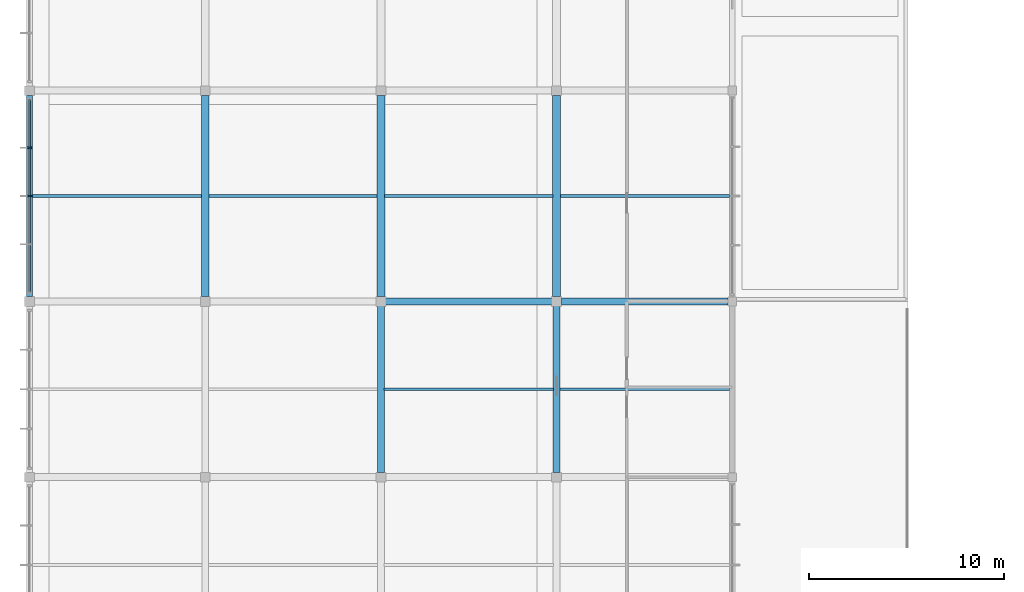
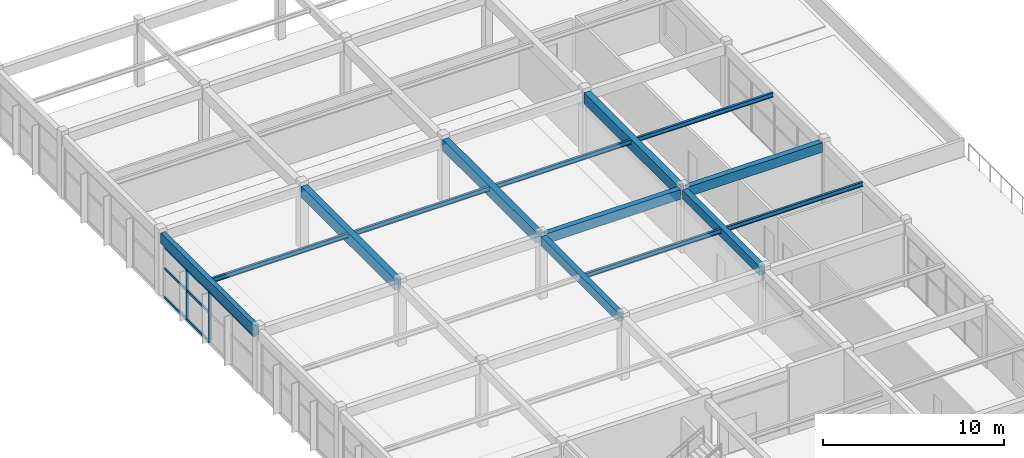
# One storey, part 26 of 89: 14 beams, 7 members, 1 element without a shape of its own.
"""IFC4 building model written with IfcOpenShell, lengths in metres."""

from ifc_helpers import new_model, si_unit, direction, frame, origin, origin_2d, place, context, subcontext, project, spatial, rectangle, i_section, extrude, material, material_profile, profile_set, type_object, element, aggregate, save


model = new_model("IFC4")

# Units and contexts
model_context = context("Model", 3, precision=1e-05, world=origin(), true_north=direction((0.0, 1.0)))
body_context = subcontext(model_context, "Body", "Model", "MODEL_VIEW")
ifc_project = project(units=[si_unit("LENGTHUNIT", "METRE"), si_unit("AREAUNIT", "SQUARE_METRE"), si_unit("VOLUMEUNIT", "CUBIC_METRE"), si_unit("PLANEANGLEUNIT", "RADIAN"), si_unit("MASSUNIT", "GRAM", prefix="KILO")], contexts=[model_context])

# Site, building, storey
site_placement = place(None, origin())
site = spatial("IfcSite", under=ifc_project, at=site_placement, CompositionType="ELEMENT")
building_placement = place(site_placement, origin())
building = spatial("IfcBuilding", under=site, at=building_placement, Name="Suirenkawa Promenade Aquatics Centre", CompositionType="ELEMENT")
storey_placement = place(building_placement, frame((0.0, 0.0, 9.60009765625)))
storey = spatial("IfcBuildingStorey", under=building, at=storey_placement, Name="L02", CompositionType="ELEMENT", Elevation=9.60009765625)

# Beams
ifc_material_1 = material(Name="Steel IS 2062 E350 (Grade 350)", Category="steel")
ifc_material_profile_1 = material_profile(ifc_material_1, i_section(OverallWidth=0.139892578125, OverallDepth=0.300048828125, WebThickness=0.008056640625, FlangeThickness=0.012939453125, at=origin_2d()), Name="ISMB 300", Category="steel")
ifc_profile_set_1 = profile_set([ifc_material_profile_1], Name="Steel IS 2062 E350 (Grade 350)")
beam_type_1 = type_object("IfcBeamType", Name="BT-JOIST-ISMB300", PredefinedType="JOIST", material=ifc_profile_set_1)
beam_1_placement = place(storey_placement, frame((0.14404296875, 91.800048828125, 4.087890625), z_axis=(1.0, 0.0, 0.0), x_axis=(0.0, 1.0, 0.0)))
element("IfcBeam", 1, at=beam_1_placement, inside=storey, type_object=beam_type_1, Name="Secondary floor joist JS-02 BM-0699", PredefinedType="JOIST", context=body_context, shape_type="SweptSolid", body=[
    extrude(i_section(OverallWidth=0.139892578125, OverallDepth=0.300048828125, WebThickness=0.008056640625, FlangeThickness=0.012939453125, at=origin_2d()), origin(), (0.0, 0.0, 1.0), 8.661865234375),
])
beam_2_placement = place(storey_placement, frame((9.194091796875, 91.800048828125, 4.087890625), z_axis=(1.0, 0.0, 0.0), x_axis=(0.0, 1.0, 0.0)))
element("IfcBeam", 2, at=beam_2_placement, inside=storey, type_object=beam_type_1, Name="Secondary floor joist JS-02 BM-0709", PredefinedType="JOIST", context=body_context, shape_type="SweptSolid", body=[
    extrude(i_section(OverallWidth=0.139892578125, OverallDepth=0.300048828125, WebThickness=0.008056640625, FlangeThickness=0.012939453125, at=origin_2d()), origin(), (0.0, 0.0, 1.0), 8.61181640625),
])
beam_3_placement = place(storey_placement, frame((18.1689453125, 81.89990234375, 4.087890625), z_axis=(1.0, 0.0, 0.0), x_axis=(0.0, 1.0, 0.0)))
element("IfcBeam", 3, at=beam_3_placement, inside=storey, type_object=beam_type_1, Name="Secondary floor joist JS-02 BM-0720", PredefinedType="JOIST", context=body_context, shape_type="SweptSolid", body=[
    extrude(i_section(OverallWidth=0.139892578125, OverallDepth=0.300048828125, WebThickness=0.008056640625, FlangeThickness=0.012939453125, at=origin_2d()), origin(), (0.0, 0.0, 1.0), 8.662109375),
])
beam_4_placement = place(storey_placement, frame((18.194091796875, 91.800048828125, 4.087890625), z_axis=(1.0, 0.0, 0.0), x_axis=(0.0, 1.0, 0.0)))
element("IfcBeam", 4, at=beam_4_placement, inside=storey, type_object=beam_type_1, Name="Secondary floor joist JS-02 BM-0721", PredefinedType="JOIST", context=body_context, shape_type="SweptSolid", body=[
    extrude(i_section(OverallWidth=0.139892578125, OverallDepth=0.300048828125, WebThickness=0.008056640625, FlangeThickness=0.012939453125, at=origin_2d()), origin(), (0.0, 0.0, 1.0), 8.61181640625),
])
beam_5_placement = place(storey_placement, frame((27.1689453125, 81.89990234375, 4.087890625), z_axis=(1.0, 0.0, 0.0), x_axis=(0.0, 1.0, 0.0)))
element("IfcBeam", 5, at=beam_5_placement, inside=storey, type_object=beam_type_1, Name="Secondary floor joist JS-02 BM-0732", PredefinedType="JOIST", context=body_context, shape_type="SweptSolid", body=[
    extrude(i_section(OverallWidth=0.139892578125, OverallDepth=0.300048828125, WebThickness=0.008056640625, FlangeThickness=0.012939453125, at=origin_2d()), origin(), (0.0, 0.0, 1.0), 8.68701171875),
])
beam_6_placement = place(storey_placement, frame((27.194091796875, 91.800048828125, 4.087890625), z_axis=(1.0, 0.0, 0.0), x_axis=(0.0, 1.0, 0.0)))
element("IfcBeam", 6, at=beam_6_placement, inside=storey, type_object=beam_type_1, Name="Secondary floor joist JS-02 BM-0733", PredefinedType="JOIST", context=body_context, shape_type="SweptSolid", body=[
    extrude(i_section(OverallWidth=0.139892578125, OverallDepth=0.300048828125, WebThickness=0.008056640625, FlangeThickness=0.012939453125, at=origin_2d()), origin(), (0.0, 0.0, 1.0), 8.661865234375),
])
ifc_material_2 = material(Name="Concrete M35", Category="concrete")
ifc_material_profile_2 = material_profile(ifc_material_2, rectangle(XDim=0.35009765625, YDim=0.60009765625, at=origin_2d()), Name="RC BM 350x600", Category="concrete")
ifc_profile_set_2 = profile_set([ifc_material_profile_2], Name="Concrete M35")
beam_type_2 = type_object("IfcBeamType", Name="BT-RC-350x600", PredefinedType="BEAM", material=ifc_profile_set_2)
for number, where, z_axis, x_axis, name in (
    (7, (18.0, 77.64404296875, 3.93994140625), (0.0, 1.0, 0.0), (-1.0, 0.0, 0.0), "Floor beam BM-02 BM-0662"),
    (8, (27.0, 77.64404296875, 3.93994140625), (0.0, 1.0, 0.0), (-1.0, 0.0, 0.0), "Floor beam BM-02 BM-0674"),
):
    element("IfcBeam", number, at=place(storey_placement, frame(where, z_axis=z_axis, x_axis=x_axis)), inside=storey, type_object=beam_type_2, Name=name, PredefinedType="BEAM", context=body_context, shape_type="SweptSolid", body=[
        extrude(rectangle(XDim=0.35009765625, YDim=0.60009765625, at=origin_2d()), origin(), (0.0, 0.0, 1.0), 8.511962890625),
    ])
ifc_material_profile_3 = material_profile(ifc_material_2, rectangle(XDim=0.35009765625, YDim=0.64990234375, at=origin_2d()), Name="RC BM 350x650", Category="concrete")
ifc_profile_set_3 = profile_set([ifc_material_profile_3], Name="Concrete M35")
beam_type_3 = type_object("IfcBeamType", Name="BT-RC-350x650", PredefinedType="BEAM", material=ifc_profile_set_3)
beam_7_placement = place(storey_placement, frame((18.243896484375, 86.39990234375, 3.914794921875), z_axis=(1.0, 0.0, 0.0), x_axis=(0.0, 1.0, 0.0)))
element("IfcBeam", 9, at=beam_7_placement, inside=storey, type_object=beam_type_3, Name="Floor beam BM-03 BM-0616", PredefinedType="BEAM", context=body_context, shape_type="SweptSolid", body=[
    extrude(rectangle(XDim=0.35009765625, YDim=0.64990234375, at=origin_2d()), origin(), (0.0, 0.0, 1.0), 8.51220703125),
])
beam_8_placement = place(storey_placement, frame((27.243896484375, 86.39990234375, 3.914794921875), z_axis=(1.0, 0.0, 0.0), x_axis=(0.0, 1.0, 0.0)))
element("IfcBeam", 10, at=beam_8_placement, inside=storey, type_object=beam_type_3, Name="Floor beam BM-03 BM-0617", PredefinedType="BEAM", context=body_context, shape_type="SweptSolid", body=[
    extrude(rectangle(XDim=0.35009765625, YDim=0.64990234375, at=origin_2d()), origin(), (0.0, 0.0, 1.0), 8.537109375),
])
ifc_material_3 = material(Name="Concrete M40", Category="concrete")
ifc_material_profile_4 = material_profile(ifc_material_3, rectangle(XDim=0.39990234375, YDim=0.75, at=origin_2d()), Name="RC BM 400x750", Category="concrete")
ifc_profile_set_4 = profile_set([ifc_material_profile_4], Name="Concrete M40")
beam_type_4 = type_object("IfcBeamType", Name="BT-RC-400x750", PredefinedType="BEAM", material=ifc_profile_set_4)
for number, where, z_axis, x_axis, name in (
    (11, (9.0, 86.64404296875, 3.864990234375), (0.0, 1.0, 0.0), (-1.0, 0.0, 0.0), "Floor beam BM-05 BM-0651"),
    (12, (18.0, 86.64404296875, 3.864990234375), (0.0, 1.0, 0.0), (-1.0, 0.0, 0.0), "Floor beam BM-05 BM-0663"),
    (13, (27.0, 86.64404296875, 3.864990234375), (0.0, 1.0, 0.0), (-1.0, 0.0, 0.0), "Floor beam BM-05 BM-0675"),
):
    element("IfcBeam", number, at=place(storey_placement, frame(where, z_axis=z_axis, x_axis=x_axis)), inside=storey, type_object=beam_type_4, Name=name, PredefinedType="BEAM", context=body_context, shape_type="SweptSolid", body=[
        extrude(rectangle(XDim=0.39990234375, YDim=0.75, at=origin_2d()), origin(), (0.0, 0.0, 1.0), 10.31201171875),
    ])
ifc_material_profile_5 = material_profile(ifc_material_3, rectangle(XDim=0.300048828125, YDim=0.699951171875, at=origin_2d()), Name="RC SPANDREL 300x700", Category="concrete")
ifc_profile_set_5 = profile_set([ifc_material_profile_5], Name="Concrete M40")
beam_type_5 = type_object("IfcBeamType", Name="BT-SPANDREL-300x700", PredefinedType="SPANDREL", material=ifc_profile_set_5)
beam_9_placement = place(storey_placement, frame((0.0, 86.64404296875, 3.889892578125), z_axis=(0.0, 1.0, 0.0), x_axis=(-1.0, 0.0, 0.0)))
element("IfcBeam", 14, at=beam_9_placement, inside=storey, type_object=beam_type_5, Name="Floor beam SP-01 BM-0639", PredefinedType="SPANDREL", context=body_context, shape_type="SweptSolid", body=[
    extrude(rectangle(XDim=0.300048828125, YDim=0.699951171875, at=origin_2d()), origin(), (0.0, 0.0, 1.0), 10.31201171875),
])

# Curtain wall, members
ifc_material_4 = material(Name="Anodised aluminium 6063-T6", Category="aluminium")
curtain_wall_type = type_object("IfcCurtainWallType", Name="CWAT-V5WL02-63", PredefinedType="NOTDEFINED", material=ifc_material_4)
curtain_wall_placement = place(storey_placement, origin())
curtain_wall = element("IfcCurtainWall", 15, at=curtain_wall_placement, inside=storey, type_object=curtain_wall_type, Name="Curtain wall CWA-63 CW-126", PredefinedType="NOTDEFINED")
ifc_material_profile_6 = material_profile(ifc_material_4, rectangle(XDim=0.094970703125, YDim=0.18994140625, at=origin_2d()), Name="ALU MULL 95x190", Category="aluminium")
ifc_profile_set_6 = profile_set([ifc_material_profile_6], Name="Anodised aluminium 6063-T6")
member_type_1 = type_object("IfcMemberType", Name="CWM-190x95", PredefinedType="MULLION", material=ifc_profile_set_6)
member_1_placement = place(storey_placement, frame((0.0, 91.800048828125, 0.0), z_axis=(0.0, 0.0, 1.0), x_axis=(0.0, 1.0, 0.0)))
member_1 = element("IfcMember", 16, at=member_1_placement, type_object=member_type_1, Name="Mullion ML-02 CWM-02548", PredefinedType="MULLION", context=body_context, shape_type="SweptSolid", body=[
    extrude(rectangle(XDim=0.094970703125, YDim=0.18994140625, at=origin_2d()), origin(), (0.0, 0.0, 1.0), 3.369873046875),
])
member_2_placement = place(storey_placement, frame((0.0, 94.275390625, 0.0), z_axis=(0.0, 0.0, 1.0), x_axis=(0.0, 1.0, 0.0)))
member_2 = element("IfcMember", 17, at=member_2_placement, type_object=member_type_1, Name="Mullion ML-02 CWM-02549", PredefinedType="MULLION", context=body_context, shape_type="SweptSolid", body=[
    extrude(rectangle(XDim=0.094970703125, YDim=0.18994140625, at=origin_2d()), origin(), (0.0, 0.0, 1.0), 3.369873046875),
])
ifc_material_profile_7 = material_profile(ifc_material_4, rectangle(XDim=0.094970703125, YDim=0.14990234375, at=origin_2d()), Name="ALU TRAN 95x150", Category="aluminium")
ifc_profile_set_7 = profile_set([ifc_material_profile_7], Name="Anodised aluminium 6063-T6")
member_type_2 = type_object("IfcMemberType", Name="CWT-150x95", PredefinedType="USERDEFINED", material=ifc_profile_set_7)
member_3_placement = place(storey_placement, frame((0.0, 91.800048828125, 0.0), z_axis=(0.0, 1.0, 0.0), x_axis=(-1.0, 0.0, 0.0)))
member_3 = element("IfcMember", 18, at=member_3_placement, type_object=member_type_2, Name="Transom TR-02 CWT-02553", ObjectType="TRANSOM", PredefinedType="USERDEFINED", context=body_context, shape_type="SweptSolid", body=[
    extrude(rectangle(XDim=0.094970703125, YDim=0.14990234375, at=origin_2d()), origin(), (0.0, 0.0, 1.0), 2.475341796875),
])
member_4_placement = place(storey_placement, frame((0.0, 94.275390625, 0.0), z_axis=(0.0, 1.0, 0.0), x_axis=(-1.0, 0.0, 0.0)))
member_4 = element("IfcMember", 19, at=member_4_placement, type_object=member_type_2, Name="Transom TR-02 CWT-02554", ObjectType="TRANSOM", PredefinedType="USERDEFINED", context=body_context, shape_type="SweptSolid", body=[
    extrude(rectangle(XDim=0.094970703125, YDim=0.14990234375, at=origin_2d()), origin(), (0.0, 0.0, 1.0), 2.4755859375),
])
member_5_placement = place(storey_placement, frame((0.0, 91.800048828125, 1.949951171875), z_axis=(0.0, 1.0, 0.0), x_axis=(-1.0, 0.0, 0.0)))
member_5 = element("IfcMember", 20, at=member_5_placement, type_object=member_type_2, Name="Transom TR-02 CWT-02557", ObjectType="TRANSOM", PredefinedType="USERDEFINED", context=body_context, shape_type="SweptSolid", body=[
    extrude(rectangle(XDim=0.094970703125, YDim=0.14990234375, at=origin_2d()), origin(), (0.0, 0.0, 1.0), 2.475341796875),
])
member_6_placement = place(storey_placement, frame((0.0, 94.275390625, 1.949951171875), z_axis=(0.0, 1.0, 0.0), x_axis=(-1.0, 0.0, 0.0)))
member_6 = element("IfcMember", 21, at=member_6_placement, type_object=member_type_2, Name="Transom TR-02 CWT-02558", ObjectType="TRANSOM", PredefinedType="USERDEFINED", context=body_context, shape_type="SweptSolid", body=[
    extrude(rectangle(XDim=0.094970703125, YDim=0.14990234375, at=origin_2d()), origin(), (0.0, 0.0, 1.0), 2.4755859375),
])
member_7_placement = place(storey_placement, frame((0.0, 86.84912109375, 3.369873046875), z_axis=(0.0, 1.0, 0.0), x_axis=(-1.0, 0.0, 0.0)))
member_7 = element("IfcMember", 22, at=member_7_placement, type_object=member_type_2, Name="Roofline transom TR-02 CWT-02559", ObjectType="TRANSOM", PredefinedType="USERDEFINED", context=body_context, shape_type="SweptSolid", body=[
    extrude(rectangle(XDim=0.094970703125, YDim=0.14990234375, at=origin_2d()), origin(), (0.0, 0.0, 1.0), 9.90185546875),
])
aggregate(curtain_wall, [member_1, member_2, member_3, member_4, member_5, member_6, member_7])

save(model, "model.ifc")
